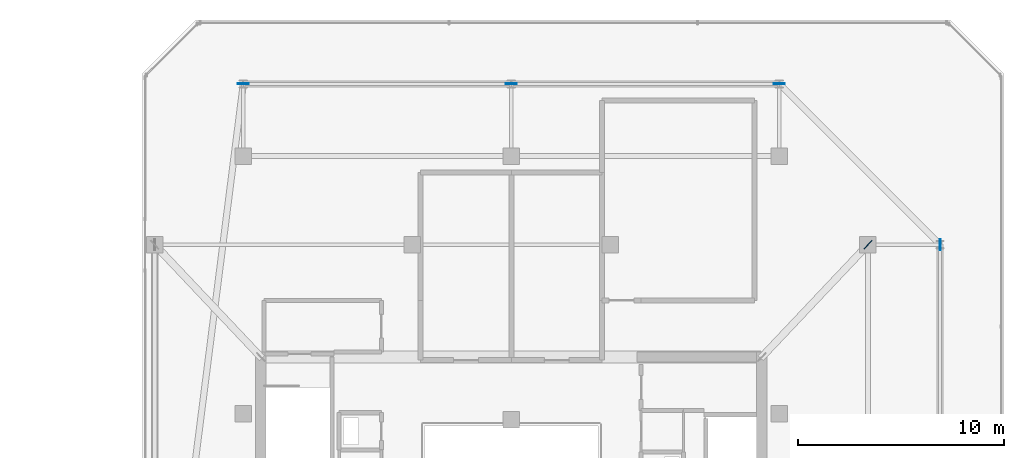
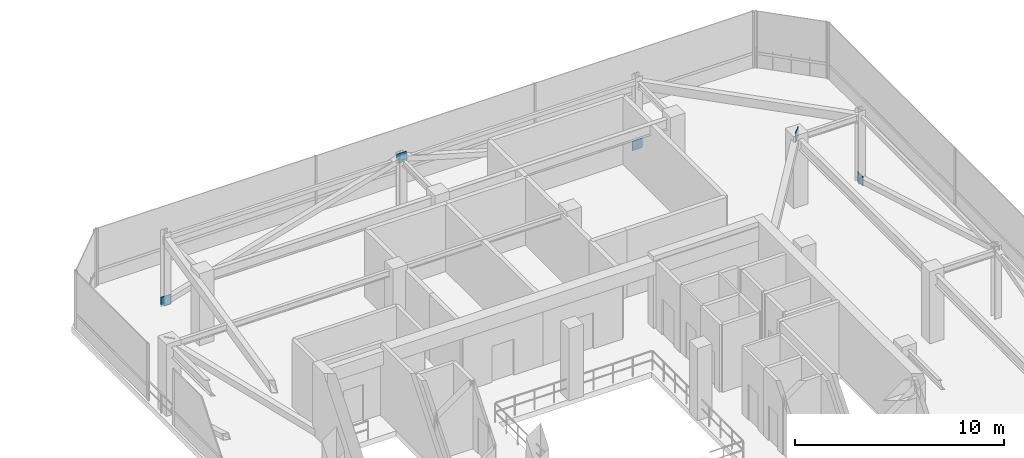
# One storey, part 40 of 47: 5 plates.
"""IFC4 building model written with IfcOpenShell, lengths in metres."""

from ifc_helpers import new_model, si_unit, direction, frame, origin, origin_2d, place, context, subcontext, project, spatial, rectangle, extrude, material, layer, layer_set, type_object, element, save


model = new_model("IFC4")

# Units and contexts
model_context = context("Model", 3, precision=1e-05, world=origin(), true_north=direction((0.0, 1.0)))
body_context = subcontext(model_context, "Body", "Model", "MODEL_VIEW")
ifc_project = project(units=[si_unit("LENGTHUNIT", "METRE"), si_unit("AREAUNIT", "SQUARE_METRE"), si_unit("VOLUMEUNIT", "CUBIC_METRE"), si_unit("PLANEANGLEUNIT", "RADIAN"), si_unit("MASSUNIT", "GRAM", prefix="KILO")], contexts=[model_context])

# Site, building, storey
site_placement = place(None, origin())
site = spatial("IfcSite", under=ifc_project, at=site_placement, CompositionType="ELEMENT")
building_placement = place(site_placement, origin())
building = spatial("IfcBuilding", under=site, at=building_placement, Name="Thornwick Lancets Civic Towers", CompositionType="ELEMENT")
storey_placement = place(building_placement, frame((0.0, 0.0, 279.89990234375)))
storey = spatial("IfcBuildingStorey", under=building, at=storey_placement, Name="C01", CompositionType="ELEMENT", Elevation=279.89990234375)

# Plates
ifc_material = material(Name="Steel S460M", Category="steel")
ifc_layer = layer(ifc_material, 0.0400390625, Name="Steel S460M")
ifc_layer_set = layer_set([ifc_layer], Name="Steel S460M")
plate_type = type_object("IfcPlateType", Name="PLT_GUSSET_40", PredefinedType="USERDEFINED", material=ifc_layer_set)
for number, where, z_axis, x_axis, name in (
    (1, (109.300048828125, 40.0, -0.125), (0.0, 0.0, 1.0), (0.0, -1.0, 0.0), "C01 Brace Connection Gusset Plate 0443"),
    (2, (101.5, 47.800048828125, -0.125), (0.0, 0.0, 1.0), (-1.0, 0.0, 0.0), "C01 Brace Connection Gusset Plate 0444"),
    (3, (88.5, 47.800048828125, 3.6650390625), (0.0, 0.0, 1.0), (-1.0, 0.0, 0.0), "C01 Brace Connection Gusset Plate 0445"),
    (4, (75.5, 47.800048828125, -0.125), (0.0, 0.0, 1.0), (1.0, 0.0, 0.0), "C01 Brace Connection Gusset Plate 0446"),
    (5, (105.800048828125, 40.0, 3.6650390625), (0.0, 0.0, 1.0), (0.686833846544, 0.726814465487, 0.0), "C01 Brace Connection Gusset Plate 0456"),
):
    element("IfcPlate", number, at=place(storey_placement, frame(where, z_axis=z_axis, x_axis=x_axis)), inside=storey, type_object=plate_type, Name=name, ObjectType="GUSSET_PLATE", PredefinedType="USERDEFINED", context=body_context, shape_type="SweptSolid", body=[
        extrude(rectangle(XDim=0.550048828125, YDim=0.0400390625, at=origin_2d()), origin(), (0.0, 0.0, 1.0), 0.550048828125),
    ])

save(model, "model.ifc")
